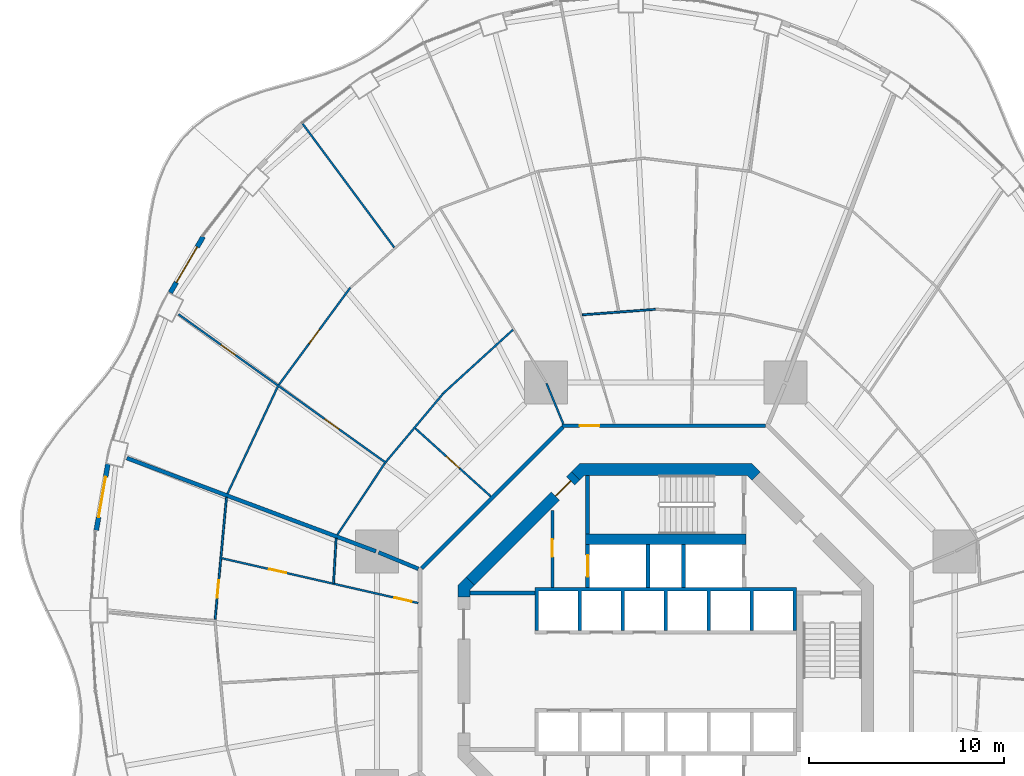
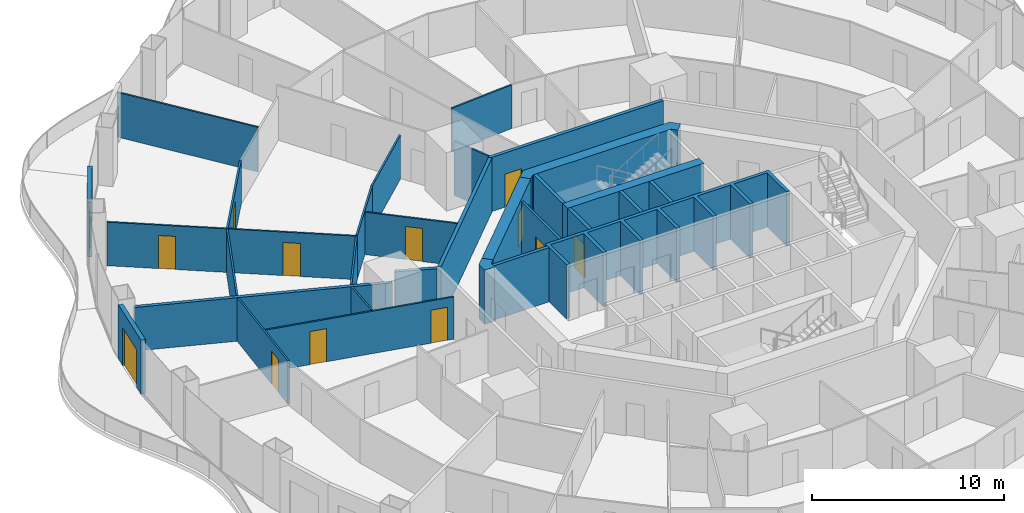
# One storey, part 17 of 22: 30 walls, 13 doors, 13 openings.
"""IFC4 building model written with IfcOpenShell, lengths in metres."""

import ifcopenshell
import ifcopenshell.guid

model = None  # the IFC model being written
_history = None  # IfcOwnerHistory: only IFC2X3 demands one
_inside = {}  # id of a spatial element -> (the spatial element, [elements in it])
_under = {}  # id of a project, library or spatial element -> (it, [spatial elements below it])
_declared = {}  # id of a project -> (the project, [libraries it declares])
_typed = {}  # id of a type object -> (the type object, [elements of that type])
_made_of = {}  # id of a material, layer set ... -> (it, [elements and type objects made of it])


def new_model(schema):
    """Start an empty IFC model of exactly this schema.

    Asked for "IFC4X3", IfcOpenShell would pick the latest addendum, in which some entities
    have other attributes; the version numbers below select the first issue.
    IFC2X3 requires an IfcOwnerHistory on every rooted entity: one is made here for all.
    """
    global model, _history
    if schema == "IFC4X3":
        model = ifcopenshell.file(schema_version=(4, 3, 0, 0))
    else:
        model = ifcopenshell.file(schema=schema)
    _inside.clear()
    _under.clear()
    _declared.clear()
    _typed.clear()
    _made_of.clear()
    _history = None
    if model.schema == "IFC2X3":
        org = make("IfcOrganization", Name="unknown")
        user = make(
            "IfcPersonAndOrganization",
            ThePerson=make("IfcPerson", FamilyName="unknown"),
            TheOrganization=org,
        )
        app = make(
            "IfcApplication",
            ApplicationDeveloper=org,
            Version="unknown",
            ApplicationFullName="unknown",
            ApplicationIdentifier="unknown",
        )
        _history = make(
            "IfcOwnerHistory",
            OwningUser=user,
            OwningApplication=app,
            ChangeAction="ADDED",
            CreationDate=0,
        )
    return model


def make(cls, **values):
    """One entity of the class cls with the attributes given. An attribute that is None is left unset."""
    return model.create_entity(
        cls, **{name: value for name, value in values.items() if value is not None}
    )


def rooted(cls, **values):
    """An entity with a GlobalId (a new one), such as an element, a storey or a relation."""
    return make(cls, GlobalId=ifcopenshell.guid.new(), OwnerHistory=_history, **values)


def si_unit(unit_type, name, prefix=None):
    """IfcSIUnit, for example si_unit("LENGTHUNIT", "METRE", prefix="MILLI")."""
    return make("IfcSIUnit", UnitType=unit_type, Prefix=prefix, Name=name)


def assignment(units):
    """IfcUnitAssignment: the units of a project."""
    return None if units is None else make("IfcUnitAssignment", Units=units)


def point(xyz):
    """IfcCartesianPoint."""
    return None if xyz is None else make("IfcCartesianPoint", Coordinates=xyz)


def direction(xyz):
    """IfcDirection."""
    return None if xyz is None else make("IfcDirection", DirectionRatios=xyz)


def frame(location, z_axis=None, x_axis=None):
    """IfcAxis2Placement3D, a coordinate frame: its origin and axes. An axis left out is left unset."""
    return make(
        "IfcAxis2Placement3D",
        Location=point(location),
        Axis=direction(z_axis),
        RefDirection=direction(x_axis),
    )


def frame_2d(location, x_axis=None):
    """IfcAxis2Placement2D, a coordinate frame in the plane: its origin and x axis."""
    return make(
        "IfcAxis2Placement2D", Location=point(location), RefDirection=direction(x_axis)
    )


def origin():
    """The frame at (0, 0, 0) with its axes left unset."""
    return frame((0.0, 0.0, 0.0))


def place(relative_to, where):
    """IfcLocalPlacement: puts the frame where relative to a parent placement (None: the world)."""
    return make(
        "IfcLocalPlacement", PlacementRelTo=relative_to, RelativePlacement=where
    )


def context(
    kind, dimensions, precision=None, world=None, true_north=None, identifier=None
):
    """IfcGeometricRepresentationContext, for example the 3D "Model" context."""
    return make(
        "IfcGeometricRepresentationContext",
        ContextIdentifier=identifier,
        ContextType=kind,
        CoordinateSpaceDimension=dimensions,
        Precision=precision,
        WorldCoordinateSystem=world,
        TrueNorth=true_north,
    )


def subcontext(parent, identifier, kind, view, scale=None):
    """IfcGeometricRepresentationSubContext, for example "Body" below "Model"."""
    return make(
        "IfcGeometricRepresentationSubContext",
        ContextIdentifier=identifier,
        ContextType=kind,
        ParentContext=parent,
        TargetScale=scale,
        TargetView=view,
    )


def project(units=None, contexts=None):
    """IfcProject with its units and contexts."""
    return rooted(
        "IfcProject",
        Name="project",
        RepresentationContexts=contexts,
        UnitsInContext=assignment(units),
    )


def spatial(cls, under=None, at=None, **own):
    """A site, building, storey or space (cls), placed at a placement, below another one or the project."""
    s = rooted(cls, ObjectPlacement=at, **own)
    if under is not None:
        _under.setdefault(under.id(), (under, []))[1].append(s)
    return s


def polyline(points):
    """IfcPolyline through the points."""
    return make("IfcPolyline", Points=[point(p) for p in points])


def profile(cls, at=None, kind="AREA", **sizes):
    """A parametric profile (cls). Its sizes go by their IFC names, for example OverallWidth=200.0."""
    return make(cls, ProfileType=kind, Position=at, **sizes)


def rectangle(**sizes):
    """IfcRectangleProfileDef."""
    return profile("IfcRectangleProfileDef", **sizes)


def outline(outer, holes=None, kind="AREA"):
    """IfcArbitraryClosedProfileDef: a profile drawn as a closed curve; with holes, ...WithVoids."""
    if holes is None:
        return make("IfcArbitraryClosedProfileDef", ProfileType=kind, OuterCurve=outer)
    return make(
        "IfcArbitraryProfileDefWithVoids",
        ProfileType=kind,
        OuterCurve=outer,
        InnerCurves=holes,
    )


def extrude(swept, where, along, depth):
    """IfcExtrudedAreaSolid: the profile swept, set in the frame where, extruded along a direction by depth."""
    return make(
        "IfcExtrudedAreaSolid",
        SweptArea=swept,
        Position=where,
        ExtrudedDirection=direction(along),
        Depth=depth,
    )


def shape(context_of_items, identifier, shape_type, items):
    """IfcShapeRepresentation: the items that make up one representation, for example the "Body"."""
    return make(
        "IfcShapeRepresentation",
        ContextOfItems=context_of_items,
        RepresentationIdentifier=identifier,
        RepresentationType=shape_type,
        Items=items,
    )


def material(Name=None, Category=None):
    """IfcMaterial."""
    return make("IfcMaterial", Name=Name, Category=Category)


def layer(
    of_material, thickness, ventilated=None, Name=None, Category=None, Priority=None
):
    """IfcMaterialLayer: one layer of a wall or slab, of a material (None: an air gap)."""
    return make(
        "IfcMaterialLayer",
        Material=of_material,
        LayerThickness=thickness,
        IsVentilated=ventilated,
        Name=Name,
        Category=Category,
        Priority=Priority,
    )


def layer_set(layers, Name=None):
    """IfcMaterialLayerSet."""
    return make("IfcMaterialLayerSet", MaterialLayers=layers, LayerSetName=Name)


def made_of(thing, what):
    """Note that an element or type object is made of a material, layer set ...; save() writes the relation."""
    if what is not None:
        _made_of.setdefault(what.id(), (what, []))[1].append(thing)
    return thing


def type_object(cls, material=None, **own):
    """A type object (cls), such as IfcWallType, which elements share."""
    return made_of(rooted(cls, **own), material)


def element(
    cls,
    number,
    at=None,
    inside=None,
    cuts=None,
    type_object=None,
    material=None,
    context=None,
    identifier="Body",
    shape_type=None,
    held_by="IfcProductDefinitionShape",
    body=None,
    shapes=None,
    **own,
):
    """One element of the class cls, such as IfcWall. Its Tag is "e" and its number.

    at: its placement. inside: the storey or other place that contains it. cuts: it is an
    opening in that element (IfcRelVoidsElement). A single representation is given by context,
    identifier, shape_type and body (its items); several are given by shapes. held_by: the class
    of the entity that holds the representations. save() writes the other relations.
    """
    e = rooted(cls, Tag="e%d" % number, ObjectPlacement=at, **own)
    if body is not None:
        shapes = [shape(context, identifier, shape_type, body)]
    if shapes is not None:
        e.Representation = make(held_by, Representations=shapes)
    if inside is not None:
        _inside.setdefault(inside.id(), (inside, []))[1].append(e)
    if cuts is not None:
        rooted(
            "IfcRelVoidsElement", RelatingBuildingElement=cuts, RelatedOpeningElement=e
        )
    if type_object is not None:
        _typed.setdefault(type_object.id(), (type_object, []))[1].append(e)
    return made_of(e, material)


def fill(opening, filler):
    """IfcRelFillsElement: the door or window that sits in an opening."""
    return rooted(
        "IfcRelFillsElement",
        RelatingOpeningElement=opening,
        RelatedBuildingElement=filler,
    )


def aggregate(whole, parts):
    """IfcRelAggregates: a whole, such as a stair, and the parts it consists of."""
    return rooted("IfcRelAggregates", RelatingObject=whole, RelatedObjects=parts)


def save(model, path):
    """Write the relations noted so far, then the file.

    IfcRelAggregates (storeys below a building ...), IfcRelContainedInSpatialStructure (elements
    in a storey), IfcRelDefinesByType, IfcRelAssociatesMaterial and IfcRelDeclares: one each for
    every whole, place, type object, material and project.
    """
    for whole, parts in _under.values():
        aggregate(whole, parts)
    for where, things in _inside.values():
        rooted(
            "IfcRelContainedInSpatialStructure",
            RelatedElements=things,
            RelatingStructure=where,
        )
    for kind, things in _typed.values():
        rooted("IfcRelDefinesByType", RelatedObjects=things, RelatingType=kind)
    for what, things in _made_of.values():
        rooted("IfcRelAssociatesMaterial", RelatedObjects=things, RelatingMaterial=what)
    for by, libraries in _declared.values():
        rooted("IfcRelDeclares", RelatingContext=by, RelatedDefinitions=libraries)
    model.write(path)


model = new_model("IFC4")

# Units and contexts
model_context = context("Model", 3, precision=1e-05, world=origin(), true_north=direction((0.0, 1.0)))
body_context = subcontext(model_context, "Body", "Model", "MODEL_VIEW")
ifc_project = project(units=[si_unit("LENGTHUNIT", "METRE"), si_unit("AREAUNIT", "SQUARE_METRE"), si_unit("VOLUMEUNIT", "CUBIC_METRE"), si_unit("PLANEANGLEUNIT", "RADIAN"), si_unit("MASSUNIT", "GRAM", prefix="KILO")], contexts=[model_context])

# Site, building, storey
site_placement = place(None, origin())
site = spatial("IfcSite", under=ifc_project, at=site_placement, CompositionType="ELEMENT")
building_placement = place(site_placement, origin())
building = spatial("IfcBuilding", under=site, at=building_placement, Name="Nagisa Residences", CompositionType="ELEMENT")
storey_placement = place(building_placement, frame((0.0, 0.0, 84.39990234375)))
storey = spatial("IfcBuildingStorey", under=building, at=storey_placement, Name="L20", CompositionType="ELEMENT", Elevation=84.39990234375)

# Walls
ifc_material_1 = material(Name="Gypsum board on steel studs", Category="steel")
ifc_layer_1 = layer(ifc_material_1, 0.199951171875)
ifc_layer_set_1 = layer_set([ifc_layer_1], Name="Apartment compartment wall EI60 200")
wall_type_1 = type_object("IfcWallType", Name="Apartment compartment wall EI60 200", PredefinedType="PARTITIONING", material=ifc_layer_set_1)
wall_1_placement = place(storey_placement, frame((-12.6572265625, 5.24267578125, 0.0), z_axis=(0.0, 0.0, 1.0), x_axis=(-0.923843626288, 0.382770106157, 0.0)))
element("IfcWall", 1, at=wall_1_placement, inside=storey, type_object=wall_type_1, Name="wall:L20:u02", PredefinedType="PARTITIONING", context=body_context, shape_type="SweptSolid", body=[
    extrude(rectangle(XDim=2.19921875, YDim=0.199951171875, at=frame_2d((1.099609375, 0.0))), origin(), (0.0, 0.0, 1.0), 3.440185546875),
])
wall_2_placement = place(storey_placement, frame((-14.828857421875, 6.140380859375, 0.0), z_axis=(0.0, 0.0, 1.0), x_axis=(-0.936597324342, 0.35040755134, 0.0)))
element("IfcWall", 2, at=wall_2_placement, inside=storey, type_object=wall_type_1, Name="wall:L20:u03", PredefinedType="PARTITIONING", context=body_context, shape_type="SweptSolid", body=[
    extrude(rectangle(XDim=13.605712890625, YDim=0.199951171875, at=frame_2d((6.802734375, 0.0))), origin(), (0.0, 0.0, 1.0), 2.76220703125),
])

# Wall, opening, door
ifc_material_2 = material(Name="Gypsum board on steel studs", Category="steel")
ifc_layer_2 = layer(ifc_material_2, 0.199951171875)
ifc_layer_set_2 = layer_set([ifc_layer_2], Name="Apartment entry wall EI60 200")
wall_type_2 = type_object("IfcWallType", Name="Apartment entry wall EI60 200", PredefinedType="PARTITIONING", material=ifc_layer_set_2)
wall_3_placement = place(storey_placement, frame((5.1044921875, 12.564697265625, 0.0), z_axis=(0.0, 0.0, 1.0), x_axis=(-1.0, 0.0, 0.0)))
wall_3 = element("IfcWall", 3, at=wall_3_placement, inside=storey, type_object=wall_type_2, Name="wall:L20:u12", PredefinedType="PARTITIONING", context=body_context, shape_type="SweptSolid", body=[
    extrude(rectangle(XDim=10.408935546875, YDim=0.199951171875, at=frame_2d((5.20458984375, 0.0))), origin(), (0.0, 0.0, 1.0), 3.440185546875),
])
opening_1_placement = place(wall_3_placement, frame((8.5078125, 0.0, 0.0)))
opening_1 = element("IfcOpeningElement", 4, at=opening_1_placement, cuts=wall_3, Name="Opening L20-U01", PredefinedType="OPENING", context=body_context, shape_type="SweptSolid", body=[
    extrude(rectangle(XDim=1.0, YDim=2.10009765625, at=frame_2d((0.5, 1.050048828125))), frame((0.0, 0.10986328125, 0.0), z_axis=(0.0, -1.0, 0.0), x_axis=(1.0, 0.0, 0.0)), (0.0, 0.0, 1.0), 0.219970703125),
])
ifc_material_3 = material(Name="Timber fire door set", Category="wood")
door_type_1 = type_object("IfcDoorType", Name="Apartment entry door FD30S 1000x2100", OperationType="NOTDEFINED", PredefinedType="DOOR", material=ifc_material_3)
door_1_placement = place(opening_1_placement, frame((1.0, 0.0, 0.0), x_axis=(-1.0, 0.0, 0.0)))
door_1 = element("IfcDoor", 5, at=door_1_placement, inside=storey, type_object=door_type_1, Name="Entry door, Apartment 20A", OperationType="SINGLE_SWING_RIGHT", OverallHeight=2.10009765625, OverallWidth=1.0, PredefinedType="DOOR", context=body_context, shape_type="SweptSolid", body=[
    extrude(rectangle(XDim=1.0, YDim=2.10009765625, at=frame_2d((0.5, 1.050048828125))), frame((0.0, 0.02490234375, 0.0), z_axis=(0.0, -1.0, 0.0), x_axis=(1.0, 0.0, 0.0)), (0.0, 0.0, 1.0), 0.050048828125),
])
fill(opening_1, door_1)

# Walls
wall_4_placement = place(storey_placement, frame((-5.275146484375, 12.494140625, 0.0), z_axis=(0.0, 0.0, 1.0), x_axis=(-0.707106781187, -0.707106781187, 0.0)))
element("IfcWall", 6, at=wall_4_placement, inside=storey, type_object=wall_type_2, Name="wall:L20:u13", PredefinedType="PARTITIONING", context=body_context, shape_type="SweptSolid", body=[
    extrude(rectangle(XDim=10.209228515625, YDim=0.199951171875, at=frame_2d((5.1044921875, 0.0))), origin(), (0.0, 0.0, 1.0), 3.440185546875),
])
ifc_material_4 = material(Name="Gypsum board on steel studs", Category="steel")
ifc_layer_3 = layer(ifc_material_4, 0.10009765625)
ifc_layer_set_3 = layer_set([ifc_layer_3], Name="Apartment partition 100")
wall_type_3 = type_object("IfcWallType", Name="Apartment partition 100", PredefinedType="PARTITIONING", material=ifc_layer_set_3)
wall_5_placement = place(storey_placement, frame((-0.535888671875, 18.519287109375, 0.0), z_axis=(0.0, 0.0, 1.0), x_axis=(-0.99715294352, -0.075405618017, 0.0)))
element("IfcWall", 7, at=wall_5_placement, inside=storey, type_object=wall_type_3, Name="wall:L20:u39", PredefinedType="PARTITIONING", context=body_context, shape_type="SweptSolid", body=[
    extrude(rectangle(XDim=3.74609375, YDim=0.10009765625, at=frame_2d((1.873046875, 0.0))), origin(), (0.0, 0.0, 1.0), 2.76220703125),
])
wall_6_placement = place(storey_placement, frame((-5.24267578125, 12.6572265625, 0.0), z_axis=(0.0, 0.0, 1.0), x_axis=(-0.382703272338, 0.923871314276, 0.0)))
element("IfcWall", 8, at=wall_6_placement, inside=storey, type_object=wall_type_3, Name="wall:L20:u45", PredefinedType="PARTITIONING", context=body_context, shape_type="SweptSolid", body=[
    extrude(rectangle(XDim=2.249267578125, YDim=0.10009765625, at=frame_2d((1.12451171875, 0.0))), origin(), (0.0, 0.0, 1.0), 3.440185546875),
])
wall_7_placement = place(storey_placement, frame((-7.81982421875, 17.471923828125, 0.0), z_axis=(0.0, 0.0, 1.0), x_axis=(-0.73885182489, -0.67386792538, 0.0)))
element("IfcWall", 9, at=wall_7_placement, inside=storey, type_object=wall_type_3, Name="wall:L20:u47", PredefinedType="PARTITIONING", context=body_context, shape_type="SweptSolid", body=[
    extrude(rectangle(XDim=4.846435546875, YDim=0.10009765625, at=frame_2d((2.42333984375, 0.0))), origin(), (0.0, 0.0, 1.0), 2.76220703125),
])
wall_8_placement = place(storey_placement, frame((-13.890380859375, 21.682373046875, 0.0), z_axis=(0.0, 0.0, 1.0), x_axis=(-0.595256113594, 0.803536034804, 0.0)))
element("IfcWall", 10, at=wall_8_placement, inside=storey, type_object=wall_type_3, Name="wall:L20:u49", PredefinedType="PARTITIONING", context=body_context, shape_type="SweptSolid", body=[
    extrude(rectangle(XDim=7.971923828125, YDim=0.10009765625, at=frame_2d((3.98583984375, 0.0))), origin(), (0.0, 0.0, 1.0), 2.837158203125),
])
wall_9_placement = place(storey_placement, frame((-11.39599609375, 14.20166015625, 0.0), z_axis=(0.0, 0.0, 1.0), x_axis=(-0.642483859922, -0.766299216847, 0.0)))
element("IfcWall", 11, at=wall_9_placement, inside=storey, type_object=wall_type_3, Name="wall:L20:u50", PredefinedType="PARTITIONING", context=body_context, shape_type="SweptSolid", body=[
    extrude(rectangle(XDim=4.537109375, YDim=0.10009765625, at=frame_2d((2.2685546875, 0.0))), origin(), (0.0, 0.0, 1.0), 2.76220703125),
])

# Wall, opening, door
wall_10_placement = place(storey_placement, frame((-16.137939453125, 19.6318359375, 0.0), z_axis=(0.0, 0.0, 1.0), x_axis=(-0.592401008469, -0.805643249314, 0.0)))
wall_10 = element("IfcWall", 12, at=wall_10_placement, inside=storey, type_object=wall_type_3, Name="wall:L20:u51", PredefinedType="PARTITIONING", context=body_context, shape_type="SweptSolid", body=[
    extrude(rectangle(XDim=6.18017578125, YDim=0.10009765625, at=frame_2d((3.090087890625, 0.0))), origin(), (0.0, 0.0, 1.0), 2.76220703125),
])
opening_2_placement = place(wall_10_placement, frame((2.6650390625, 0.0, 0.0)))
opening_2 = element("IfcOpeningElement", 13, at=opening_2_placement, cuts=wall_10, Name="Opening L20-U12", PredefinedType="OPENING", context=body_context, shape_type="SweptSolid", body=[
    extrude(rectangle(XDim=0.89990234375, YDim=2.10009765625, at=frame_2d((0.449951171875, 1.050048828125))), frame((0.0, 0.06005859375, 0.0), z_axis=(0.0, -1.0, 0.0), x_axis=(1.0, 0.0, 0.0)), (0.0, 0.0, 1.0), 0.1201171875),
])
ifc_material_5 = material(Name="Timber door set", Category="wood")
door_type_2 = type_object("IfcDoorType", Name="Apartment door 900x2100", OperationType="NOTDEFINED", PredefinedType="DOOR", material=ifc_material_5)
door_2_placement = place(opening_2_placement, frame((0.89990234375, 0.0, 0.0), x_axis=(-1.0, 0.0, 0.0)))
door_2 = element("IfcDoor", 14, at=door_2_placement, inside=storey, type_object=door_type_2, Name="Door to living room, Apartment 20A", OperationType="SINGLE_SWING_LEFT", OverallHeight=2.10009765625, OverallWidth=0.89990234375, PredefinedType="DOOR", context=body_context, shape_type="SweptSolid", body=[
    extrude(rectangle(XDim=0.89990234375, YDim=2.10009765625, at=frame_2d((0.449951171875, 1.050048828125))), frame((0.0, 0.02490234375, 0.0), z_axis=(0.0, -1.0, 0.0), x_axis=(1.0, 0.0, 0.0)), (0.0, 0.0, 1.0), 0.050048828125),
])
fill(opening_2, door_2)

wall_11_placement = place(storey_placement, frame((-8.958984375, 8.95166015625, 0.0), z_axis=(0.0, 0.0, 1.0), x_axis=(-0.742686144764, 0.669639672045, 0.0)))
wall_11 = element("IfcWall", 15, at=wall_11_placement, inside=storey, type_object=wall_type_3, Name="wall:L20:u52", PredefinedType="PARTITIONING", context=body_context, shape_type="SweptSolid", body=[
    extrude(rectangle(XDim=5.19384765625, YDim=0.10009765625, at=frame_2d((2.596923828125, 0.0))), origin(), (0.0, 0.0, 1.0), 2.68701171875),
])
opening_3_placement = place(wall_11_placement, frame((2.14697265625, 0.0, 0.0)))
opening_3 = element("IfcOpeningElement", 16, at=opening_3_placement, cuts=wall_11, Name="Opening L20-U04", PredefinedType="OPENING", context=body_context, shape_type="SweptSolid", body=[
    extrude(rectangle(XDim=0.89990234375, YDim=2.10009765625, at=frame_2d((0.449951171875, 1.050048828125))), frame((0.0, 0.06005859375, 0.0), z_axis=(0.0, -1.0, 0.0), x_axis=(1.0, 0.0, 0.0)), (0.0, 0.0, 1.0), 0.1201171875),
])
door_3_placement = place(opening_3_placement, origin())
door_3 = element("IfcDoor", 17, at=door_3_placement, inside=storey, type_object=door_type_2, Name="Door to laundry, Apartment 20A", OperationType="SINGLE_SWING_RIGHT", OverallHeight=2.10009765625, OverallWidth=0.89990234375, PredefinedType="DOOR", context=body_context, shape_type="SweptSolid", body=[
    extrude(rectangle(XDim=0.89990234375, YDim=2.10009765625, at=frame_2d((0.449951171875, 1.050048828125))), frame((0.0, 0.02490234375, 0.0), z_axis=(0.0, -1.0, 0.0), x_axis=(1.0, 0.0, 0.0)), (0.0, 0.0, 1.0), 0.050048828125),
])
fill(opening_3, door_3)

# Wall, openings, doors
wall_12_placement = place(storey_placement, frame((-14.302490234375, 10.657470703125, 0.0), z_axis=(0.0, 0.0, 1.0), x_axis=(-0.813183002698, 0.582008079087, 0.0)))
wall_12 = element("IfcWall", 18, at=wall_12_placement, inside=storey, type_object=wall_type_3, Name="wall:L20:u53", PredefinedType="PARTITIONING", context=body_context, shape_type="SweptSolid", body=[
    extrude(rectangle(XDim=13.074462890625, YDim=0.10009765625, at=frame_2d((6.537109375, 0.0))), origin(), (0.0, 0.0, 1.0), 2.76220703125),
])
opening_4_placement = place(wall_12_placement, frame((2.972900390625, 0.0, 0.0)))
opening_4 = element("IfcOpeningElement", 19, at=opening_4_placement, cuts=wall_12, Name="Opening L20-U08", PredefinedType="OPENING", context=body_context, shape_type="SweptSolid", body=[
    extrude(rectangle(XDim=0.89990234375, YDim=2.10009765625, at=frame_2d((0.449951171875, 1.050048828125))), frame((0.0, 0.06005859375, 0.0), z_axis=(0.0, -1.0, 0.0), x_axis=(1.0, 0.0, 0.0)), (0.0, 0.0, 1.0), 0.1201171875),
])
opening_5_placement = place(wall_12_placement, frame((9.485107421875, 0.0, 0.0)))
opening_5 = element("IfcOpeningElement", 20, at=opening_5_placement, cuts=wall_12, Name="Opening L20-U13", PredefinedType="OPENING", context=body_context, shape_type="SweptSolid", body=[
    extrude(rectangle(XDim=0.89990234375, YDim=2.10009765625, at=frame_2d((0.449951171875, 1.050048828125))), frame((0.0, 0.06005859375, 0.0), z_axis=(0.0, -1.0, 0.0), x_axis=(1.0, 0.0, 0.0)), (0.0, 0.0, 1.0), 0.1201171875),
])
door_4_placement = place(opening_4_placement, origin())
door_4 = element("IfcDoor", 21, at=door_4_placement, inside=storey, type_object=door_type_2, Name="Door to study, Apartment 20A", OperationType="SINGLE_SWING_RIGHT", OverallHeight=2.10009765625, OverallWidth=0.89990234375, PredefinedType="DOOR", context=body_context, shape_type="SweptSolid", body=[
    extrude(rectangle(XDim=0.89990234375, YDim=2.10009765625, at=frame_2d((0.449951171875, 1.050048828125))), frame((0.0, 0.02490234375, 0.0), z_axis=(0.0, -1.0, 0.0), x_axis=(1.0, 0.0, 0.0)), (0.0, 0.0, 1.0), 0.050048828125),
])
fill(opening_4, door_4)
door_5_placement = place(opening_5_placement, origin())
door_5 = element("IfcDoor", 22, at=door_5_placement, inside=storey, type_object=door_type_2, Name="Door to master bedroom, Apartment 20A", OperationType="SINGLE_SWING_LEFT", OverallHeight=2.10009765625, OverallWidth=0.89990234375, PredefinedType="DOOR", context=body_context, shape_type="SweptSolid", body=[
    extrude(rectangle(XDim=0.89990234375, YDim=2.10009765625, at=frame_2d((0.449951171875, 1.050048828125))), frame((0.0, 0.02490234375, 0.0), z_axis=(0.0, -1.0, 0.0), x_axis=(1.0, 0.0, 0.0)), (0.0, 0.0, 1.0), 0.050048828125),
])
fill(opening_5, door_5)

# Walls
wall_13_placement = place(storey_placement, frame((-14.370849609375, 10.64501953125, 0.0), z_axis=(0.0, 0.0, 1.0), x_axis=(-0.553341009285, -0.832954817168, 0.0)))
element("IfcWall", 23, at=wall_13_placement, inside=storey, type_object=wall_type_3, Name="wall:L20:u54", PredefinedType="PARTITIONING", context=body_context, shape_type="SweptSolid", body=[
    extrude(rectangle(XDim=4.396240234375, YDim=0.10009765625, at=frame_2d((2.1982421875, 0.0))), origin(), (0.0, 0.0, 1.0), 2.76220703125),
])
wall_14_placement = place(storey_placement, frame((-19.85009765625, 14.5673828125, 0.0), z_axis=(0.0, 0.0, 1.0), x_axis=(-0.424942210745, -0.905220480064, 0.0)))
element("IfcWall", 24, at=wall_14_placement, inside=storey, type_object=wall_type_3, Name="wall:L20:u55", PredefinedType="PARTITIONING", context=body_context, shape_type="SweptSolid", body=[
    extrude(rectangle(XDim=6.05322265625, YDim=0.10009765625, at=frame_2d((3.026611328125, 0.0))), origin(), (0.0, 0.0, 1.0), 2.76220703125),
])
wall_15_placement = place(storey_placement, frame((-16.864501953125, 6.800048828125, 0.0), z_axis=(0.0, 0.0, 1.0), x_axis=(-0.057751176984, -0.998331008011, 0.0)))
element("IfcWall", 25, at=wall_15_placement, inside=storey, type_object=wall_type_3, Name="wall:L20:u56", PredefinedType="PARTITIONING", context=body_context, shape_type="SweptSolid", body=[
    extrude(rectangle(XDim=2.2998046875, YDim=0.10009765625, at=frame_2d((1.14990234375, 0.0))), origin(), (0.0, 0.0, 1.0), 2.76220703125),
])

# Wall, opening, door
wall_16_placement = place(storey_placement, frame((-22.47412109375, 8.897705078125, 0.0), z_axis=(0.0, 0.0, 1.0), x_axis=(-0.092756864489, -0.995688788774, 0.0)))
wall_16 = element("IfcWall", 26, at=wall_16_placement, inside=storey, type_object=wall_type_3, Name="wall:L20:u57", PredefinedType="PARTITIONING", context=body_context, shape_type="SweptSolid", body=[
    extrude(rectangle(XDim=6.28271484375, YDim=0.10009765625, at=frame_2d((3.141357421875, 0.0))), origin(), (0.0, 0.0, 1.0), 2.76220703125),
])
opening_6_placement = place(wall_16_placement, frame((4.24951171875, 0.0, 0.0)))
opening_6 = element("IfcOpeningElement", 27, at=opening_6_placement, cuts=wall_16, Name="Opening L20-U22", PredefinedType="OPENING", context=body_context, shape_type="SweptSolid", body=[
    extrude(rectangle(XDim=0.89990234375, YDim=2.10009765625, at=frame_2d((0.449951171875, 1.050048828125))), frame((0.0, 0.06005859375, 0.0), z_axis=(0.0, -1.0, 0.0), x_axis=(1.0, 0.0, 0.0)), (0.0, 0.0, 1.0), 0.1201171875),
])
door_6_placement = place(opening_6_placement, frame((0.89990234375, 0.0, 0.0), x_axis=(-1.0, 0.0, 0.0)))
door_6 = element("IfcDoor", 28, at=door_6_placement, inside=storey, type_object=door_type_2, Name="Door to master bedroom, Apartment 20B", OperationType="SINGLE_SWING_LEFT", OverallHeight=2.10009765625, OverallWidth=0.89990234375, PredefinedType="DOOR", context=body_context, shape_type="SweptSolid", body=[
    extrude(rectangle(XDim=0.89990234375, YDim=2.10009765625, at=frame_2d((0.449951171875, 1.050048828125))), frame((0.0, 0.02490234375, 0.0), z_axis=(0.0, -1.0, 0.0), x_axis=(1.0, 0.0, 0.0)), (0.0, 0.0, 1.0), 0.050048828125),
])
fill(opening_6, door_6)

# Wall, openings, doors
wall_17_placement = place(storey_placement, frame((-12.662353515625, 3.491943359375, 0.0), z_axis=(0.0, 0.0, 1.0), x_axis=(-0.974981662956, 0.22228530518, 0.0)))
wall_17 = element("IfcWall", 29, at=wall_17_placement, inside=storey, type_object=wall_type_3, Name="wall:L20:u58", PredefinedType="PARTITIONING", context=body_context, shape_type="SweptSolid", body=[
    extrude(rectangle(XDim=10.31005859375, YDim=0.10009765625, at=frame_2d((5.155029296875, 0.0))), origin(), (0.0, 0.0, 1.0), 2.68701171875),
])
opening_7_placement = place(wall_17_placement, frame((0.35009765625, 0.0, 0.0)))
opening_7 = element("IfcOpeningElement", 30, at=opening_7_placement, cuts=wall_17, Name="Opening L20-U18", PredefinedType="OPENING", context=body_context, shape_type="SweptSolid", body=[
    extrude(rectangle(XDim=0.89990234375, YDim=2.10009765625, at=frame_2d((0.449951171875, 1.050048828125))), frame((0.0, 0.06005859375, 0.0), z_axis=(0.0, -1.0, 0.0), x_axis=(1.0, 0.0, 0.0)), (0.0, 0.0, 1.0), 0.1201171875),
])
opening_8_placement = place(wall_17_placement, frame((6.930908203125, 0.0, 0.0)))
opening_8 = element("IfcOpeningElement", 31, at=opening_8_placement, cuts=wall_17, Name="Opening L20-U20", PredefinedType="OPENING", context=body_context, shape_type="SweptSolid", body=[
    extrude(rectangle(XDim=0.89990234375, YDim=2.10009765625, at=frame_2d((0.449951171875, 1.050048828125))), frame((0.0, 0.06005859375, 0.0), z_axis=(0.0, -1.0, 0.0), x_axis=(1.0, 0.0, 0.0)), (0.0, 0.0, 1.0), 0.1201171875),
])
door_7_placement = place(opening_7_placement, frame((0.89990234375, 0.0, 0.0), x_axis=(-1.0, 0.0, 0.0)))
door_7 = element("IfcDoor", 32, at=door_7_placement, inside=storey, type_object=door_type_2, Name="Door to family bathroom, Apartment 20B", OperationType="SINGLE_SWING_LEFT", OverallHeight=2.10009765625, OverallWidth=0.89990234375, PredefinedType="DOOR", context=body_context, shape_type="SweptSolid", body=[
    extrude(rectangle(XDim=0.89990234375, YDim=2.10009765625, at=frame_2d((0.449951171875, 1.050048828125))), frame((0.0, 0.02490234375, 0.0), z_axis=(0.0, -1.0, 0.0), x_axis=(1.0, 0.0, 0.0)), (0.0, 0.0, 1.0), 0.050048828125),
])
fill(opening_7, door_7)
door_8_placement = place(opening_8_placement, frame((0.89990234375, 0.0, 0.0), x_axis=(-1.0, 0.0, 0.0)))
door_8 = element("IfcDoor", 33, at=door_8_placement, inside=storey, type_object=door_type_2, Name="Door to family bathroom, Apartment 20B", OperationType="SINGLE_SWING_LEFT", OverallHeight=2.10009765625, OverallWidth=0.89990234375, PredefinedType="DOOR", context=body_context, shape_type="SweptSolid", body=[
    extrude(rectangle(XDim=0.89990234375, YDim=2.10009765625, at=frame_2d((0.449951171875, 1.050048828125))), frame((0.0, 0.02490234375, 0.0), z_axis=(0.0, -1.0, 0.0), x_axis=(1.0, 0.0, 0.0)), (0.0, 0.0, 1.0), 0.050048828125),
])
fill(opening_8, door_8)

# Wall, opening, door
ifc_material_6 = material(Name="Precast concrete C40/50", Category="concrete")
ifc_layer_4 = layer(ifc_material_6, 0.25)
ifc_layer_set_4 = layer_set([ifc_layer_4], Name="BALCONY DOOR WALL 250")
wall_type_4 = type_object("IfcWallType", Name="BALCONY DOOR WALL 250", PredefinedType="SOLIDWALL", material=ifc_layer_set_4)
wall_18_placement = place(storey_placement, frame((-25.34765625, 19.372314453125, 0.0), z_axis=(0.0, 0.0, 1.0), x_axis=(0.506352525095, 0.86232657406, 0.0)))
wall_18 = element("IfcWall", 34, at=wall_18_placement, inside=storey, type_object=wall_type_4, Name="wall:L20:bay19", PredefinedType="SOLIDWALL", context=body_context, shape_type="SweptSolid", body=[
    extrude(rectangle(XDim=3.324951171875, YDim=0.25, at=frame_2d((1.66259765625, 0.0))), origin(), (0.0, 0.0, 1.0), 3.440185546875),
])
opening_9_placement = place(wall_18_placement, frame((0.6123046875, 0.0, 0.0)))
opening_9 = element("IfcOpeningElement", 35, at=opening_9_placement, cuts=wall_18, Name="Opening BD-L20-07", PredefinedType="OPENING", context=body_context, shape_type="SweptSolid", body=[
    extrude(rectangle(XDim=2.10009765625, YDim=2.39990234375, at=frame_2d((1.050048828125, 1.199951171875))), frame((0.0, 0.135009765625, 0.0), z_axis=(0.0, -1.0, 0.0), x_axis=(1.0, 0.0, 0.0)), (0.0, 0.0, 1.0), 0.27001953125),
])
ifc_material_7 = material(Name="Aluminium and clear glass", Category="aluminium")
door_type_3 = type_object("IfcDoorType", Name="BALCONY SLIDING DOOR 2100x2400", OperationType="SLIDING_TO_LEFT", PredefinedType="DOOR", material=ifc_material_7)
door_9_placement = place(opening_9_placement, origin())
door_9 = element("IfcDoor", 36, at=door_9_placement, inside=storey, type_object=door_type_3, Name="door:L20:bay19", OperationType="SLIDING_TO_LEFT", OverallHeight=2.39990234375, OverallWidth=2.10009765625, PredefinedType="DOOR", context=body_context, shape_type="SweptSolid", body=[
    extrude(rectangle(XDim=2.10009765625, YDim=2.39990234375, at=frame_2d((1.050048828125, 1.199951171875))), frame((0.0, 0.02490234375, 0.0), z_axis=(0.0, -1.0, 0.0), x_axis=(1.0, 0.0, 0.0)), (0.0, 0.0, 1.0), 0.050048828125),
])
fill(opening_9, door_9)

wall_19_placement = place(storey_placement, frame((-29.135009765625, 7.209716796875, 0.0), z_axis=(0.0, 0.0, 1.0), x_axis=(0.17223289558, 0.985056257114, 0.0)))
wall_19 = element("IfcWall", 37, at=wall_19_placement, inside=storey, type_object=wall_type_4, Name="wall:L20:bay22", PredefinedType="SOLIDWALL", context=body_context, shape_type="SweptSolid", body=[
    extrude(rectangle(XDim=3.454345703125, YDim=0.25, at=frame_2d((1.72705078125, 0.0))), origin(), (0.0, 0.0, 1.0), 3.440185546875),
])
opening_10_placement = place(wall_19_placement, frame((0.67724609375, 0.0, 0.0)))
opening_10 = element("IfcOpeningElement", 38, at=opening_10_placement, cuts=wall_19, Name="Opening BD-L20-08", PredefinedType="OPENING", context=body_context, shape_type="SweptSolid", body=[
    extrude(rectangle(XDim=2.10009765625, YDim=2.39990234375, at=frame_2d((1.050048828125, 1.199951171875))), frame((0.0, 0.135009765625, 0.0), z_axis=(0.0, -1.0, 0.0), x_axis=(1.0, 0.0, 0.0)), (0.0, 0.0, 1.0), 0.27001953125),
])
door_10_placement = place(opening_10_placement, origin())
door_10 = element("IfcDoor", 39, at=door_10_placement, inside=storey, type_object=door_type_3, Name="door:L20:bay22", OperationType="SLIDING_TO_LEFT", OverallHeight=2.39990234375, OverallWidth=2.10009765625, PredefinedType="DOOR", context=body_context, shape_type="SweptSolid", body=[
    extrude(rectangle(XDim=2.10009765625, YDim=2.39990234375, at=frame_2d((1.050048828125, 1.199951171875))), frame((0.0, 0.02490234375, 0.0), z_axis=(0.0, -1.0, 0.0), x_axis=(1.0, 0.0, 0.0)), (0.0, 0.0, 1.0), 0.050048828125),
])
fill(opening_10, door_10)

ifc_material_8 = material(Name="Gypsum board on steel studs", Category="steel")
ifc_layer_5 = layer(ifc_material_8, 0.14990234375)
ifc_layer_set_5 = layer_set([ifc_layer_5], Name="Core partition 150")
wall_type_5 = type_object("IfcWallType", Name="Core partition 150", PredefinedType="PARTITIONING", material=ifc_layer_set_5)
wall_20_placement = place(storey_placement, frame((-5.800048828125, 4.300048828125, 0.0), z_axis=(0.0, 0.0, 1.0), x_axis=(0.0, 1.0, 0.0)))
wall_20 = element("IfcWall", 40, at=wall_20_placement, inside=storey, type_object=wall_type_5, Name="wall:L20:NWp", PredefinedType="PARTITIONING", context=body_context, shape_type="SweptSolid", body=[
    extrude(rectangle(XDim=3.927001953125, YDim=0.14990234375, at=frame_2d((1.96337890625, 0.0))), origin(), (0.0, 0.0, 1.0), 3.440185546875),
])
opening_11_placement = place(wall_20_placement, frame((1.551025390625, 0.0, 0.0)))
opening_11 = element("IfcOpeningElement", 41, at=opening_11_placement, cuts=wall_20, Name="Opening L20-C12", PredefinedType="OPENING", context=body_context, shape_type="SweptSolid", body=[
    extrude(rectangle(XDim=0.89990234375, YDim=2.10009765625, at=frame_2d((0.449951171875, 1.050048828125))), frame((0.0, 0.0849609375, 0.0), z_axis=(0.0, -1.0, 0.0), x_axis=(1.0, 0.0, 0.0)), (0.0, 0.0, 1.0), 0.169921875),
])
ifc_material_9 = material(Name="Steel fire door", Category="steel")
door_type_4 = type_object("IfcDoorType", Name="Fire door EI30 900x2100 single swing", OperationType="NOTDEFINED", PredefinedType="DOOR", material=ifc_material_9)
door_11_placement = place(opening_11_placement, origin())
door_11 = element("IfcDoor", 42, at=door_11_placement, inside=storey, type_object=door_type_4, Name="Linen store door L20", OperationType="SINGLE_SWING_LEFT", OverallHeight=2.10009765625, OverallWidth=0.89990234375, PredefinedType="DOOR", context=body_context, shape_type="SweptSolid", body=[
    extrude(rectangle(XDim=0.89990234375, YDim=2.10009765625, at=frame_2d((0.449951171875, 1.050048828125))), frame((0.0, 0.02490234375, 0.0), z_axis=(0.0, -1.0, 0.0), x_axis=(1.0, 0.0, 0.0)), (0.0, 0.0, 1.0), 0.050048828125),
])
fill(opening_11, door_11)

# Wall
ifc_material_10 = material(Name="Gypsum board on steel studs", Category="steel")
ifc_layer_6 = layer(ifc_material_10, 0.199951171875)
ifc_layer_set_6 = layer_set([ifc_layer_6], Name="Core partition 200")
wall_type_6 = type_object("IfcWallType", Name="Core partition 200", PredefinedType="PARTITIONING", material=ifc_layer_set_6)
wall_21_placement = place(storey_placement, frame((-10.024658203125, 4.0, 0.0), z_axis=(0.0, 0.0, 1.0), x_axis=(1.0, 0.0, 0.0)))
element("IfcWall", 43, at=wall_21_placement, inside=storey, type_object=wall_type_6, Name="wall:L20:PNW", PredefinedType="PARTITIONING", context=body_context, shape_type="SweptSolid", body=[
    extrude(rectangle(XDim=3.32470703125, YDim=0.199951171875, at=frame_2d((1.662353515625, 0.0))), origin(), (0.0, 0.0, 1.0), 3.440185546875),
])

# Wall, opening, door
ifc_material_11 = material(Name="Concrete C60", Category="concrete")
ifc_layer_7 = layer(ifc_material_11, 0.60009765625)
ifc_layer_set_7 = layer_set([ifc_layer_7], Name="Core shear wall 600")
wall_type_7 = type_object("IfcWallType", Name="Core shear wall 600", PredefinedType="SHEAR", material=ifc_layer_set_7)
wall_22_placement = place(storey_placement, frame((-4.613037109375, 9.98828125, 0.0), z_axis=(0.0, 0.0, 1.0), x_axis=(-0.707106781187, -0.707106781187, 0.0)))
wall_22 = element("IfcWall", 44, at=wall_22_placement, inside=storey, type_object=wall_type_7, Name="wall:L20:core:flat3", PredefinedType="SHEAR", context=body_context, shape_type="SweptSolid", body=[
    extrude(rectangle(XDim=7.601806640625, YDim=0.60009765625, at=frame_2d((3.80078125, 0.0))), origin(), (0.0, 0.0, 1.0), 3.440185546875),
])
opening_12_placement = place(wall_22_placement, frame((0.350830078125, 0.0, 0.0)))
opening_12 = element("IfcOpeningElement", 45, at=opening_12_placement, cuts=wall_22, Name="Opening L20-C20", PredefinedType="OPENING", context=body_context, shape_type="SweptSolid", body=[
    extrude(rectangle(XDim=1.10009765625, YDim=2.10009765625, at=frame_2d((0.550048828125, 1.050048828125))), frame((0.0, 0.31005859375, 0.0), z_axis=(0.0, -1.0, 0.0), x_axis=(1.0, 0.0, 0.0)), (0.0, 0.0, 1.0), 0.6201171875),
])
ifc_material_12 = material(Name="Steel fire door", Category="steel")
door_type_5 = type_object("IfcDoorType", Name="Fire door EI60 1100x2100 single swing", OperationType="NOTDEFINED", PredefinedType="DOOR", material=ifc_material_12)
door_12_placement = place(opening_12_placement, origin())
door_12 = element("IfcDoor", 46, at=door_12_placement, inside=storey, type_object=door_type_5, Name="Service lobby door L20", OperationType="SINGLE_SWING_LEFT", OverallHeight=2.10009765625, OverallWidth=1.10009765625, PredefinedType="DOOR", context=body_context, shape_type="SweptSolid", body=[
    extrude(rectangle(XDim=1.10009765625, YDim=2.10009765625, at=frame_2d((0.550048828125, 1.050048828125))), frame((0.0, 0.02490234375, 0.0), z_axis=(0.0, -1.0, 0.0), x_axis=(1.0, 0.0, 0.0)), (0.0, 0.0, 1.0), 0.050048828125),
])
fill(opening_12, door_12)

# Walls
wall_23_placement = place(storey_placement, origin())
element("IfcWall", 47, at=wall_23_placement, inside=storey, type_object=wall_type_7, Name="wall:L20:core:pier3", PredefinedType="SHEAR", context=body_context, shape_type="SweptSolid", body=[
    extrude(outline(polyline([(-10.200439453125, 4.8251953125), (-9.776123046875, 4.40087890625), (-10.024658203125, 4.15234375), (-10.024658203125, 3.80078125), (-10.62451171875, 3.80078125), (-10.62451171875, 4.40087890625), (-10.200439453125, 4.8251953125)])), origin(), (0.0, 0.0, 1.0), 3.440185546875),
])
wall_24_placement = place(storey_placement, origin())
element("IfcWall", 48, at=wall_24_placement, inside=storey, type_object=wall_type_7, Name="wall:L20:core:flat2", PredefinedType="SHEAR", context=body_context, shape_type="SweptSolid", body=[
    extrude(outline(polyline([(-4.15234375, 10.024658203125), (-4.40087890625, 9.776123046875), (-4.8251953125, 10.200439453125), (-4.40087890625, 10.62451171875), (4.40087890625, 10.62451171875), (4.8251953125, 10.200439453125), (4.40087890625, 9.776123046875), (4.15234375, 10.024658203125), (-4.15234375, 10.024658203125)])), origin(), (0.0, 0.0, 1.0), 3.440185546875),
])

# Wall, opening, door
ifc_material_13 = material(Name="Concrete C60", Category="concrete")
ifc_layer_8 = layer(ifc_material_13, 0.199951171875)
ifc_layer_set_8 = layer_set([ifc_layer_8], Name="Lift shaft wall 200")
wall_type_8 = type_object("IfcWallType", Name="Lift shaft wall 200", PredefinedType="SOLIDWALL", material=ifc_layer_set_8)
wall_25_placement = place(storey_placement, frame((-4.0, 4.300048828125, 0.0), z_axis=(0.0, 0.0, 1.0), x_axis=(0.0, 1.0, 0.0)))
wall_25 = element("IfcWall", 49, at=wall_25_placement, inside=storey, type_object=wall_type_8, Name="wall:L20:Nb4", PredefinedType="SOLIDWALL", context=body_context, shape_type="SweptSolid", body=[
    extrude(rectangle(XDim=2.199951171875, YDim=0.199951171875, at=frame_2d((1.10009765625, 0.0))), origin(), (0.0, 0.0, 1.0), 3.440185546875),
])
opening_13_placement = place(wall_25_placement, frame((0.550048828125, 0.0, 0.0)))
opening_13 = element("IfcOpeningElement", 50, at=opening_13_placement, cuts=wall_25, Name="Opening L20-C08", PredefinedType="OPENING", context=body_context, shape_type="SweptSolid", body=[
    extrude(rectangle(XDim=1.10009765625, YDim=2.10009765625, at=frame_2d((0.550048828125, 1.050048828125))), frame((0.0, 0.10986328125, 0.0), z_axis=(0.0, -1.0, 0.0), x_axis=(1.0, 0.0, 0.0)), (0.0, 0.0, 1.0), 0.219970703125),
])
ifc_material_14 = material(Name="Stainless steel", Category="steel")
door_type_6 = type_object("IfcDoorType", Name="Lift landing door 1100x2100", OperationType="DOUBLE_DOOR_SLIDING", PredefinedType="DOOR", material=ifc_material_14)
door_13_placement = place(opening_13_placement, origin())
door_13 = element("IfcDoor", 51, at=door_13_placement, inside=storey, type_object=door_type_6, Name="Landing door SV L20", OperationType="DOUBLE_DOOR_SLIDING", OverallHeight=2.10009765625, OverallWidth=1.10009765625, PredefinedType="DOOR", context=body_context, shape_type="SweptSolid", body=[
    extrude(rectangle(XDim=1.10009765625, YDim=2.10009765625, at=frame_2d((0.550048828125, 1.050048828125))), frame((0.0, 0.02490234375, 0.0), z_axis=(0.0, -1.0, 0.0), x_axis=(1.0, 0.0, 0.0)), (0.0, 0.0, 1.0), 0.050048828125),
])
fill(opening_13, door_13)

# Walls
for number, where, z_axis, x_axis, name in (
    (52, (-0.89990234375, 4.300048828125, 0.0), (0.0, 0.0, 1.0), (0.0, 1.0, 0.0), "wall:L20:Nb1"),
    (53, (0.89990234375, 4.300048828125, 0.0), (0.0, 0.0, 1.0), (0.0, 1.0, 0.0), "wall:L20:Nb2"),
):
    element("IfcWall", number, at=place(storey_placement, frame(where, z_axis=z_axis, x_axis=x_axis)), inside=storey, type_object=wall_type_8, Name=name, PredefinedType="SOLIDWALL", context=body_context, shape_type="SweptSolid", body=[
        extrude(rectangle(XDim=2.199951171875, YDim=0.199951171875, at=frame_2d((1.10009765625, 0.0))), origin(), (0.0, 0.0, 1.0), 3.440185546875),
    ])
wall_26_placement = place(storey_placement, origin())
element("IfcWall", 54, at=wall_26_placement, inside=storey, type_object=wall_type_8, Name="wall:L20:Nback", PredefinedType="SOLIDWALL", context=body_context, shape_type="SweptSolid", body=[
    extrude(outline(polyline([(-6.5, 2.10009765625), (-6.699951171875, 2.10009765625), (-6.699951171875, 4.300048828125), (6.699951171875, 4.300048828125), (6.699951171875, 2.10009765625), (6.5, 2.10009765625), (6.5, 4.10009765625), (4.5, 4.10009765625), (4.5, 2.10009765625), (4.300048828125, 2.10009765625), (4.300048828125, 4.10009765625), (2.300048828125, 4.10009765625), (2.300048828125, 2.10009765625), (2.10009765625, 2.10009765625), (2.10009765625, 4.10009765625), (0.10009765625, 4.10009765625), (0.10009765625, 2.10009765625), (-0.10009765625, 2.10009765625), (-0.10009765625, 4.10009765625), (-2.10009765625, 4.10009765625), (-2.10009765625, 2.10009765625), (-2.300048828125, 2.10009765625), (-2.300048828125, 4.10009765625), (-4.300048828125, 4.10009765625), (-4.300048828125, 2.10009765625), (-4.5, 2.10009765625), (-4.5, 4.10009765625), (-6.5, 4.10009765625), (-6.5, 2.10009765625)])), origin(), (0.0, 0.0, 1.0), 3.440185546875),
])
ifc_material_15 = material(Name="Concrete C60", Category="concrete")
ifc_layer_9 = layer(ifc_material_15, 0.199951171875)
ifc_layer_set_9 = layer_set([ifc_layer_9], Name="Stair enclosure wall 200")
wall_type_9 = type_object("IfcWallType", Name="Stair enclosure wall 200", PredefinedType="SOLIDWALL", material=ifc_layer_set_9)
wall_27_placement = place(storey_placement, origin())
element("IfcWall", 55, at=wall_27_placement, inside=storey, type_object=wall_type_9, Name="wall:L20:SN_w", PredefinedType="SOLIDWALL", context=body_context, shape_type="SweptSolid", body=[
    extrude(outline(polyline([(-3.89990234375, 7.024658203125), (-4.10009765625, 7.024658203125), (-4.10009765625, 10.024658203125), (-3.89990234375, 10.024658203125), (-3.89990234375, 7.024658203125)])), origin(), (0.0, 0.0, 1.0), 3.440185546875),
])
wall_28_placement = place(storey_placement, origin())
element("IfcWall", 56, at=wall_28_placement, inside=storey, type_object=wall_type_9, Name="wall:L20:SN_s", PredefinedType="SOLIDWALL", context=body_context, shape_type="SweptSolid", body=[
    extrude(outline(polyline([(4.10009765625, 6.5), (-4.10009765625, 6.5), (-4.10009765625, 7.024658203125), (4.10009765625, 7.024658203125), (4.10009765625, 6.5)])), origin(), (0.0, 0.0, 1.0), 3.440185546875),
])

save(model, "model.ifc")
